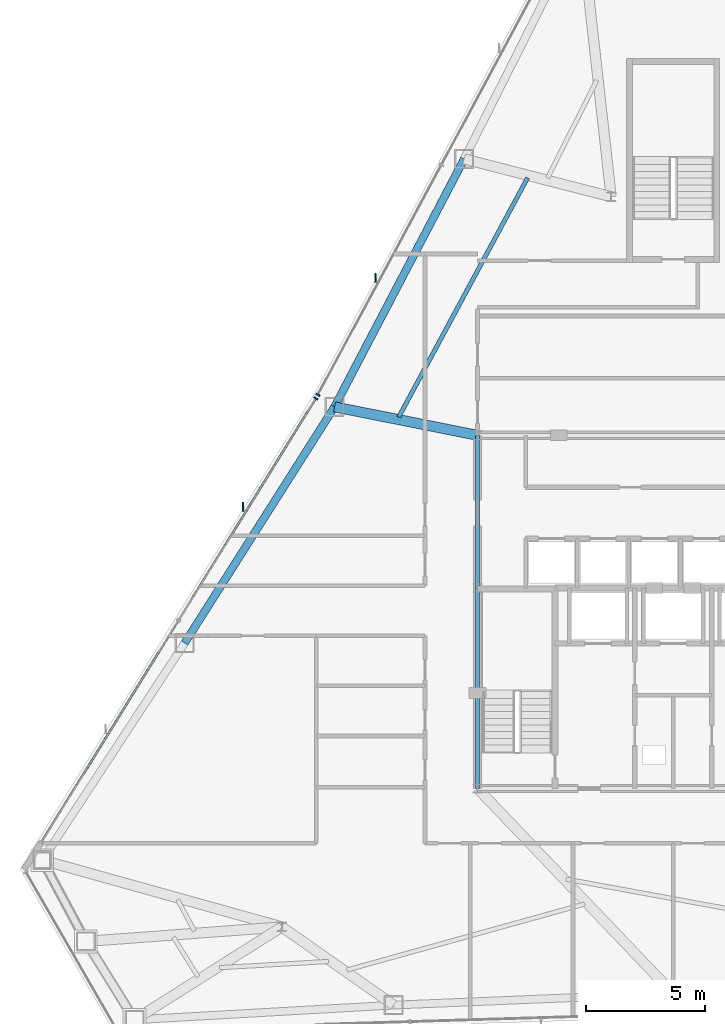
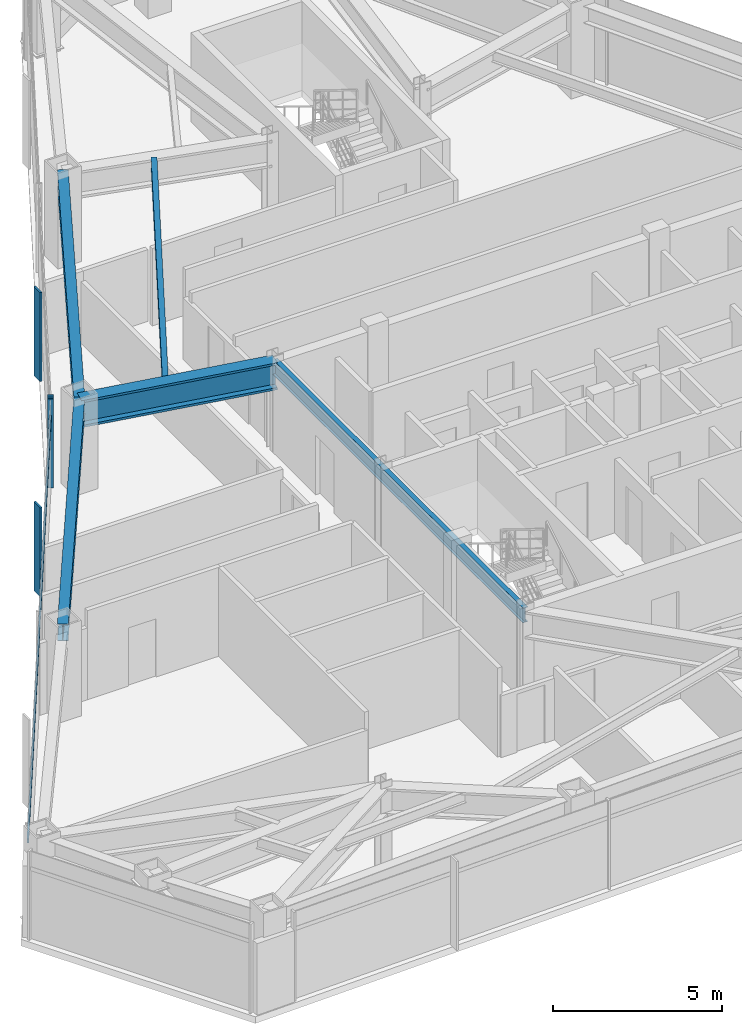
# One storey, part 5 of 13: 5 beams, 5 members, 2 elements without a shape of their own.
"""IFC4 building model written with IfcOpenShell, lengths in metres."""

from ifc_helpers import new_model, si_unit, direction, frame, origin, origin_2d, place, context, subcontext, project, spatial, rectangle, i_section, extrude, source, transform, mapped, material, layer, layer_set, material_profile, profile_set, type_object, type_shapes, element, aggregate, save


model = new_model("IFC4")

# Units and contexts
model_context = context("Model", 3, precision=1e-05, world=origin(), true_north=direction((0.0, 1.0)))
body_context = subcontext(model_context, "Body", "Model", "MODEL_VIEW")
ifc_project = project(units=[si_unit("LENGTHUNIT", "METRE"), si_unit("AREAUNIT", "SQUARE_METRE"), si_unit("VOLUMEUNIT", "CUBIC_METRE"), si_unit("PLANEANGLEUNIT", "RADIAN"), si_unit("MASSUNIT", "GRAM", prefix="KILO")], contexts=[model_context])

# Site, building, storey
site_placement = place(None, origin())
site = spatial("IfcSite", under=ifc_project, at=site_placement, CompositionType="ELEMENT")
building_placement = place(site_placement, origin())
building = spatial("IfcBuilding", under=site, at=building_placement, Name="Varakhsha Concourse Tower", CompositionType="ELEMENT")
storey_placement = place(building_placement, frame((0.0, 0.0, 168.89990234375)))
storey = spatial("IfcBuildingStorey", under=building, at=storey_placement, Name="L48", CompositionType="ELEMENT", Elevation=168.89990234375)

# Beams
ifc_material_1 = material(Name="Structural Steel ASTM A992 Grade 50", Category="steel")
ifc_material_profile_1 = material_profile(ifc_material_1, i_section(OverallWidth=0.177978515625, OverallDepth=0.406982421875, WebThickness=0.008056640625, FlangeThickness=0.012939453125, at=origin_2d()), Name="W16X40")
ifc_profile_set_1 = profile_set([ifc_material_profile_1], Name="Structural Steel ASTM A992 Grade 50")
beam_type_1 = type_object("IfcBeamType", Name="BM-JST-W16X40", PredefinedType="JOIST", material=ifc_profile_set_1)
beam_1_placement = place(storey_placement, frame((33.898681640625, 41.989501953125, 3.006591796875), z_axis=(-0.474404086138, -0.880307198117, 0.0), x_axis=(0.880307198117, -0.474404086138, 0.0)))
element("IfcBeam", 1, at=beam_1_placement, inside=storey, type_object=beam_type_1, Name="BM-TJST-L48-04", PredefinedType="JOIST", context=body_context, shape_type="SweptSolid", body=[
    extrude(i_section(OverallWidth=0.177978515625, OverallDepth=0.406982421875, WebThickness=0.008056640625, FlangeThickness=0.012939453125, at=origin_2d()), origin(), (0.0, 0.0, 1.0), 11.38720703125),
])
ifc_material_profile_2 = material_profile(ifc_material_1, i_section(OverallWidth=0.1669921875, OverallDepth=0.534912109375, WebThickness=0.010009765625, FlangeThickness=0.01708984375, at=origin_2d()), Name="W21X57")
ifc_profile_set_2 = profile_set([ifc_material_profile_2], Name="Structural Steel ASTM A992 Grade 50")
beam_type_2 = type_object("IfcBeamType", Name="BM-RAD-W21X57", PredefinedType="BEAM", material=ifc_profile_set_2)
beam_2_placement = place(storey_placement, frame((31.800048828125, 16.39990234375, 2.942626953125), z_axis=(0.0, 1.0, 0.0), x_axis=(-1.0, 0.0, 0.0)))
element("IfcBeam", 2, at=beam_2_placement, inside=storey, type_object=beam_type_2, Name="BM-TCORE-L48-CW", PredefinedType="BEAM", context=body_context, shape_type="SweptSolid", body=[
    extrude(i_section(OverallWidth=0.1669921875, OverallDepth=0.534912109375, WebThickness=0.010009765625, FlangeThickness=0.01708984375, at=origin_2d()), origin(), (0.0, 0.0, 1.0), 14.800048828125),
])
ifc_material_profile_3 = material_profile(ifc_material_1, i_section(OverallWidth=0.323974609375, OverallDepth=0.611083984375, WebThickness=0.012939453125, FlangeThickness=0.01904296875, at=origin_2d()), Name="W24X104")
ifc_profile_set_3 = profile_set([ifc_material_profile_3], Name="Structural Steel ASTM A992 Grade 50")
beam_type_3 = type_object("IfcBeamType", Name="BM-SPAN-W24X104", PredefinedType="SPANDREL", material=ifc_profile_set_3)
beam_3_placement = place(storey_placement, frame((31.240966796875, 42.78271484375, 2.904541015625), z_axis=(-0.463424073091, -0.886136630819, 0.0), x_axis=(0.886136630819, -0.463424073091, 0.0)))
element("IfcBeam", 3, at=beam_3_placement, inside=storey, type_object=beam_type_3, Name="BM-SPAN-L48-04", PredefinedType="SPANDREL", context=body_context, shape_type="SweptSolid", body=[
    extrude(i_section(OverallWidth=0.323974609375, OverallDepth=0.611083984375, WebThickness=0.012939453125, FlangeThickness=0.01904296875, at=origin_2d()), origin(), (0.0, 0.0, 1.0), 11.723876953125),
])
beam_4_placement = place(storey_placement, frame((25.807861328125, 32.393798828125, 2.904541015625), z_axis=(-0.535714805069, -0.844398986043, 0.0), x_axis=(0.844398986043, -0.535714805069, 0.0)))
element("IfcBeam", 4, at=beam_4_placement, inside=storey, type_object=beam_type_3, Name="BM-SPAN-L48-05", PredefinedType="SPANDREL", context=body_context, shape_type="SweptSolid", body=[
    extrude(i_section(OverallWidth=0.323974609375, OverallDepth=0.611083984375, WebThickness=0.012939453125, FlangeThickness=0.01904296875, at=origin_2d()), origin(), (0.0, 0.0, 1.0), 11.7236328125),
])
ifc_material_profile_4 = material_profile(ifc_material_1, i_section(OverallWidth=0.427978515625, OverallDepth=0.97509765625, WebThickness=0.050048828125, FlangeThickness=0.0810546875, at=origin_2d()), Name="W36X395")
ifc_profile_set_4 = profile_set([ifc_material_profile_4], Name="Structural Steel ASTM A992 Grade 50")
beam_type_4 = type_object("IfcBeamType", Name="BM-XFER-W36X395", PredefinedType="USERDEFINED", material=ifc_profile_set_4)
beam_5_placement = place(storey_placement, frame((31.800048828125, 31.199951171875, 2.72265625), z_axis=(-0.980724872564, 0.195393767391, 0.0), x_axis=(-0.195393767391, -0.980724872564, 0.0)))
element("IfcBeam", 5, at=beam_5_placement, inside=storey, type_object=beam_type_4, Name="L48 Radial Floor Girder 05", ObjectType="GIRDER", PredefinedType="USERDEFINED", context=body_context, shape_type="SweptSolid", body=[
    extrude(i_section(OverallWidth=0.427978515625, OverallDepth=0.97509765625, WebThickness=0.050048828125, FlangeThickness=0.0810546875, at=origin_2d()), origin(), (0.0, 0.0, 1.0), 6.10986328125),
])

# Curtain wall, member
ifc_material_2 = material(Name="Anodised Bronze Architectural Aluminium AA 6063-T6", Category="aluminium")
ifc_layer = layer(ifc_material_2, 0.2099609375, Name="CW-SYS-04")
ifc_layer_set = layer_set([ifc_layer], Name="Anodised Bronze Architectural Aluminium AA 6063-T6")
curtain_wall_type = type_object("IfcCurtainWallType", Name="CW-SYS-04", PredefinedType="NOTDEFINED", material=ifc_layer_set)
curtain_wall_1_placement = place(storey_placement, origin())
curtain_wall_1 = element("IfcCurtainWall", 6, at=curtain_wall_1_placement, inside=storey, type_object=curtain_wall_type, Name="L48 Crystal Curtain Wall F2", PredefinedType="NOTDEFINED")
ifc_material_profile_5 = material_profile(ifc_material_2, rectangle(XDim=0.06005859375, YDim=0.3798828125, at=origin_2d()), Name="FIN-BRZ-380")
ifc_profile_set_5 = profile_set([ifc_material_profile_5], Name="Anodised Bronze Architectural Aluminium AA 6063-T6")
member_type_1 = type_object("IfcMemberType", Name="FIN-BRZ-380", PredefinedType="USERDEFINED", material=ifc_profile_set_5)
shared_shape_1 = source(origin(), body_context, "Body", "SweptSolid", [
    extrude(rectangle(XDim=0.06005859375, YDim=0.3798828125, at=origin_2d()), origin(), (0.0, 0.0, 1.0), 3.210205078125),
])
type_shapes(member_type_1, [shared_shape_1])
member_1_placement = place(storey_placement, frame((27.519287109375, 37.810791015625, 0.0), z_axis=(0.0, 0.0, 1.0), x_axis=(1.0, 0.0, 0.0)))
member_1 = element("IfcMember", 7, at=member_1_placement, type_object=member_type_1, Name="L48 Anodised Bronze Solar Fin F2-1", ObjectType="SOLAR FIN", PredefinedType="USERDEFINED", context=body_context, shape_type="MappedRepresentation", body=[
    mapped(shared_shape_1, transform((0.0, 0.0, 0.0), scale=1.0)),
])

# Curtain wall, members
curtain_wall_2_placement = place(storey_placement, origin())
curtain_wall_2 = element("IfcCurtainWall", 8, at=curtain_wall_2_placement, inside=storey, type_object=curtain_wall_type, Name="L48 Crystal Curtain Wall F3", PredefinedType="NOTDEFINED")
member_2_placement = place(storey_placement, frame((21.97216796875, 28.203125, 0.0), z_axis=(0.0, 0.0, 1.0), x_axis=(1.0, 0.0, 0.0)))
member_2 = element("IfcMember", 9, at=member_2_placement, type_object=member_type_1, Name="L48 Anodised Bronze Solar Fin F3-2", ObjectType="SOLAR FIN", PredefinedType="USERDEFINED", context=body_context, shape_type="MappedRepresentation", body=[
    mapped(shared_shape_1, transform((0.0, 0.0, 0.0), scale=1.0)),
])
ifc_material_profile_6 = material_profile(ifc_material_2, rectangle(XDim=0.06005859375, YDim=0.139892578125, at=origin_2d()), Name="CWT-140X60")
ifc_profile_set_6 = profile_set([ifc_material_profile_6], Name="Anodised Bronze Architectural Aluminium AA 6063-T6")
member_type_2 = type_object("IfcMemberType", Name="CWT-140X60", PredefinedType="USERDEFINED", material=ifc_profile_set_6)
shared_shape_2 = source(origin(), body_context, "Body", "SweptSolid", [
    extrude(rectangle(XDim=0.06005859375, YDim=0.139892578125, at=origin_2d()), origin(), (0.0, 0.0, 1.0), 21.884033203125),
])
type_shapes(member_type_2, [shared_shape_2])
member_3_placement = place(storey_placement, frame((13.510009765625, 14.13818359375, 2.56005859375), z_axis=(0.526199060722, 0.850361422276, 0.0), x_axis=(-0.850361422276, 0.526199060722, 0.0)))
member_3 = element("IfcMember", 10, at=member_3_placement, type_object=member_type_2, Name="CW-L48-F3 Transom 01", ObjectType="TRANSOM", PredefinedType="USERDEFINED", context=body_context, shape_type="MappedRepresentation", body=[
    mapped(shared_shape_2, transform((0.0, 0.0, 0.0), scale=1.0)),
])

# Member
ifc_material_profile_7 = material_profile(ifc_material_2, rectangle(XDim=0.06494140625, YDim=0.179931640625, at=origin_2d()), Name="CWM-180X65")
ifc_profile_set_7 = profile_set([ifc_material_profile_7], Name="Anodised Bronze Architectural Aluminium AA 6063-T6")
member_type_3 = type_object("IfcMemberType", Name="CWM-180X65", PredefinedType="MULLION", material=ifc_profile_set_7)
shared_shape_3 = source(origin(), body_context, "Body", "SweptSolid", [
    extrude(rectangle(XDim=0.06494140625, YDim=0.179931640625, at=origin_2d()), origin(), (0.0, 0.0, 1.0), 3.210205078125),
])
type_shapes(member_type_3, [shared_shape_3])
member_4_placement = place(storey_placement, frame((25.110107421875, 32.89453125, 0.0), z_axis=(0.0, 0.0, 1.0), x_axis=(0.473336578986, 0.880881650958, 0.0)))
member_4 = element("IfcMember", 11, at=member_4_placement, type_object=member_type_3, Name="CW-L48-F2 Mullion 00", PredefinedType="MULLION", context=body_context, shape_type="MappedRepresentation", body=[
    mapped(shared_shape_3, transform((0.0, 0.0, 0.0), scale=1.0)),
])

aggregate(curtain_wall_1, [member_4, member_1])

member_5_placement = place(storey_placement, frame((25.025390625, 32.74755859375, 0.0), z_axis=(0.0, 0.0, 1.0), x_axis=(0.526199082126, 0.850361409032, 0.0)))
member_5 = element("IfcMember", 12, at=member_5_placement, type_object=member_type_3, Name="CW-L48-F3 Mullion 02", PredefinedType="MULLION", context=body_context, shape_type="MappedRepresentation", body=[
    mapped(shared_shape_3, transform((0.0, 0.0, 0.0), scale=1.0)),
])

aggregate(curtain_wall_2, [member_5, member_3, member_2])

save(model, "model.ifc")
